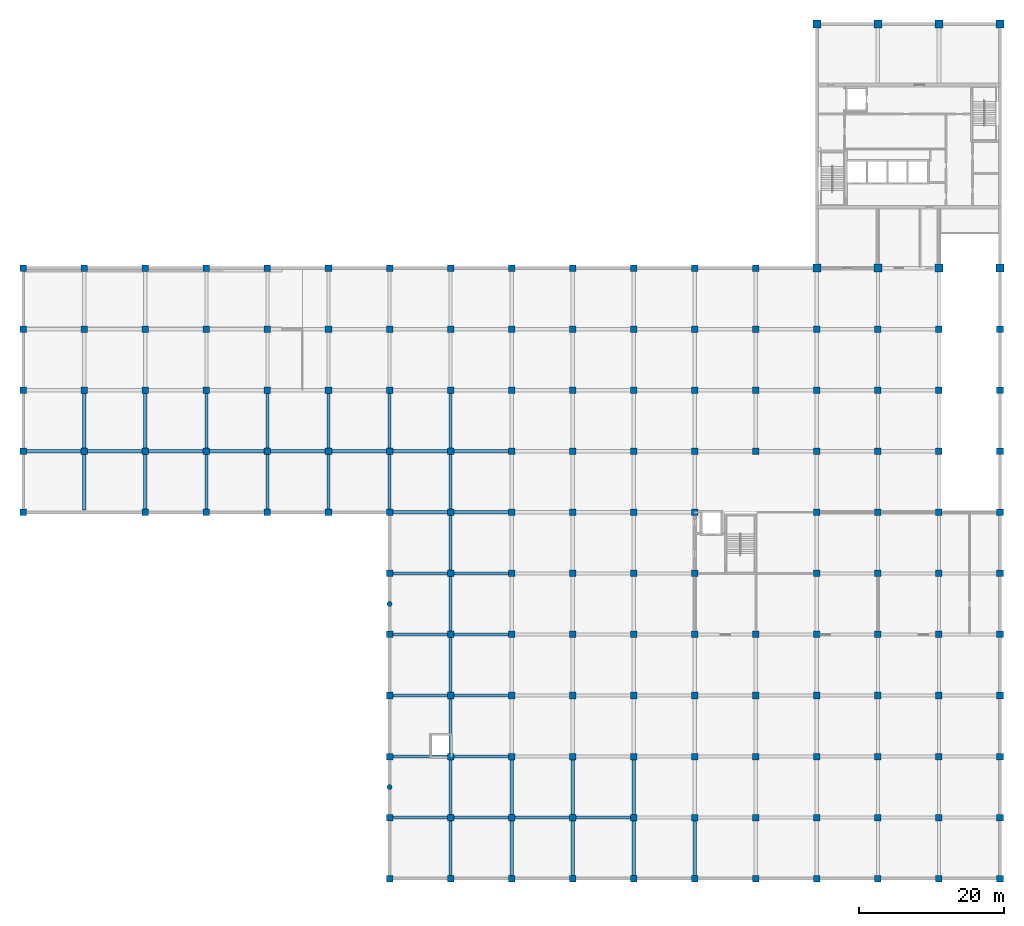
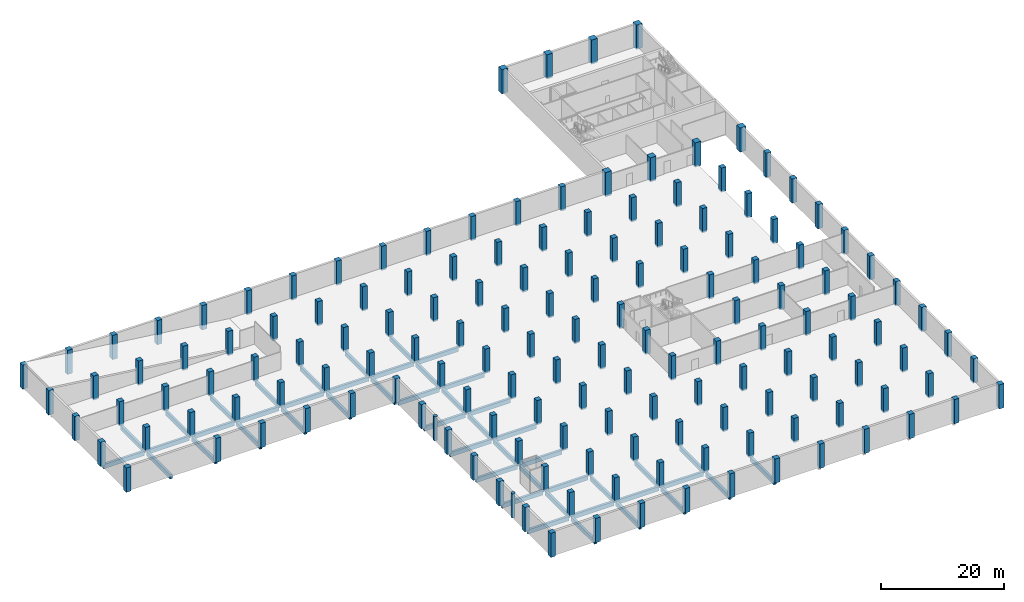
# One storey, part 1 of 13: 154 columns, 49 beams.
"""IFC4 building model written with IfcOpenShell, lengths in metres."""

from ifc_helpers import new_model, si_unit, direction, frame, origin, origin_2d, place, context, subcontext, project, spatial, rectangle, circle, extrude, material, material_profile, profile_set, type_object, element, save


model = new_model("IFC4")

# Units and contexts
model_context = context("Model", 3, precision=1e-05, world=origin(), true_north=direction((0.0, 1.0)))
body_context = subcontext(model_context, "Body", "Model", "MODEL_VIEW")
ifc_project = project(units=[si_unit("LENGTHUNIT", "METRE"), si_unit("AREAUNIT", "SQUARE_METRE"), si_unit("VOLUMEUNIT", "CUBIC_METRE"), si_unit("PLANEANGLEUNIT", "RADIAN"), si_unit("MASSUNIT", "GRAM", prefix="KILO")], contexts=[model_context])

# Site, building, storey
site_placement = place(None, origin())
site = spatial("IfcSite", under=ifc_project, at=site_placement, CompositionType="ELEMENT")
building_placement = place(site_placement, origin())
building = spatial("IfcBuilding", under=site, at=building_placement, Name="Rulbaag Community and Learning Centre", CompositionType="ELEMENT")
storey_placement = place(building_placement, frame((0.0, 0.0, -4.800048828125)))
storey = spatial("IfcBuildingStorey", under=building, at=storey_placement, Name="B1", CompositionType="ELEMENT", Elevation=-4.800048828125)

# Columns
ifc_material_1 = material(Name="Concrete M40", Category="concrete")
ifc_material_profile_1 = material_profile(ifc_material_1, circle(Radius=0.35009765625, at=origin_2d()), Name="RD700")
ifc_profile_set_1 = profile_set([ifc_material_profile_1], Name="Concrete M40")
column_type_1 = type_object("IfcColumnType", Name="C11 Circular column 700 Concrete M40", PredefinedType="COLUMN", material=ifc_profile_set_1)
for number, where, z_axis, x_axis, name in (
    (1, (84.0, 12.60009765625, -0.300048828125), (0.0, 0.0, 1.0), (1.0, 0.0, 0.0), "COL-G84x12.6-B1"),
    (2, (84.0, 37.800048828125, -0.300048828125), (0.0, 0.0, 1.0), (1.0, 0.0, 0.0), "COL-G84x37.8-B1"),
):
    element("IfcColumn", number, at=place(storey_placement, frame(where, z_axis=z_axis, x_axis=x_axis)), inside=storey, type_object=column_type_1, Name=name, PredefinedType="COLUMN", context=body_context, shape_type="SweptSolid", body=[
        extrude(circle(Radius=0.35009765625, at=origin_2d()), origin(), (0.0, 0.0, 1.0), 4.800048828125),
    ])
ifc_material_2 = material(Name="Concrete M60", Category="concrete")
ifc_material_profile_2 = material_profile(ifc_material_2, rectangle(XDim=0.89990234375, YDim=0.89990234375, at=origin_2d()), Name="RC900x900")
ifc_profile_set_2 = profile_set([ifc_material_profile_2], Name="Concrete M60")
column_type_2 = type_object("IfcColumnType", Name="C2 Column 900x900 Concrete M60", PredefinedType="COLUMN", material=ifc_profile_set_2)
for number, where, z_axis, x_axis, name in (
    (3, (33.60009765625, 50.39990234375, -0.300048828125), (0.0, 0.0, 1.0), (1.0, 0.0, 0.0), "COL-5G-B1"),
    (4, (33.60009765625, 58.800048828125, -0.300048828125), (0.0, 0.0, 1.0), (1.0, 0.0, 0.0), "COL-5H-B1"),
    (5, (33.60009765625, 67.199951171875, -0.300048828125), (0.0, 0.0, 1.0), (1.0, 0.0, 0.0), "COL-5I-B1"),
    (6, (33.60009765625, 75.60009765625, -0.300048828125), (0.0, 0.0, 1.0), (1.0, 0.0, 0.0), "COL-5J-B1"),
    (7, (33.60009765625, 84.0, -0.300048828125), (0.0, 0.0, 1.0), (1.0, 0.0, 0.0), "COL-5K-B1"),
    (8, (42.0, 58.800048828125, -0.300048828125), (0.0, 0.0, 1.0), (1.0, 0.0, 0.0), "COL-6H-B1"),
    (9, (42.0, 67.199951171875, -0.300048828125), (0.0, 0.0, 1.0), (1.0, 0.0, 0.0), "COL-6I-B1"),
    (10, (42.0, 75.60009765625, -0.300048828125), (0.0, 0.0, 1.0), (1.0, 0.0, 0.0), "COL-6J-B1"),
    (11, (42.0, 84.0, -0.300048828125), (0.0, 0.0, 1.0), (1.0, 0.0, 0.0), "COL-6K-B1"),
    (12, (50.39990234375, 50.39990234375, -0.300048828125), (0.0, 0.0, 1.0), (1.0, 0.0, 0.0), "COL-7G-B1"),
    (13, (50.39990234375, 58.800048828125, -0.300048828125), (0.0, 0.0, 1.0), (1.0, 0.0, 0.0), "COL-7H-B1"),
    (14, (50.39990234375, 67.199951171875, -0.300048828125), (0.0, 0.0, 1.0), (1.0, 0.0, 0.0), "COL-7I-B1"),
    (15, (50.39990234375, 75.60009765625, -0.300048828125), (0.0, 0.0, 1.0), (1.0, 0.0, 0.0), "COL-7J-B1"),
    (16, (50.39990234375, 84.0, -0.300048828125), (0.0, 0.0, 1.0), (1.0, 0.0, 0.0), "COL-7K-B1"),
    (17, (58.800048828125, 50.39990234375, -0.300048828125), (0.0, 0.0, 1.0), (1.0, 0.0, 0.0), "COL-8G-B1"),
    (18, (58.800048828125, 58.800048828125, -0.300048828125), (0.0, 0.0, 1.0), (1.0, 0.0, 0.0), "COL-8H-B1"),
    (19, (58.800048828125, 67.199951171875, -0.300048828125), (0.0, 0.0, 1.0), (1.0, 0.0, 0.0), "COL-8I-B1"),
    (20, (58.800048828125, 75.60009765625, -0.300048828125), (0.0, 0.0, 1.0), (1.0, 0.0, 0.0), "COL-8J-B1"),
    (21, (58.800048828125, 84.0, -0.300048828125), (0.0, 0.0, 1.0), (1.0, 0.0, 0.0), "COL-8K-B1"),
    (22, (67.199951171875, 50.39990234375, -0.300048828125), (0.0, 0.0, 1.0), (1.0, 0.0, 0.0), "COL-9G-B1"),
    (23, (67.199951171875, 58.800048828125, -0.300048828125), (0.0, 0.0, 1.0), (1.0, 0.0, 0.0), "COL-9H-B1"),
    (24, (67.199951171875, 67.199951171875, -0.300048828125), (0.0, 0.0, 1.0), (1.0, 0.0, 0.0), "COL-9I-B1"),
    (25, (67.199951171875, 75.60009765625, -0.300048828125), (0.0, 0.0, 1.0), (1.0, 0.0, 0.0), "COL-9J-B1"),
    (26, (67.199951171875, 84.0, -0.300048828125), (0.0, 0.0, 1.0), (1.0, 0.0, 0.0), "COL-9K-B1"),
    (27, (75.60009765625, 50.39990234375, -0.300048828125), (0.0, 0.0, 1.0), (1.0, 0.0, 0.0), "COL-10G-B1"),
    (28, (75.60009765625, 58.800048828125, -0.300048828125), (0.0, 0.0, 1.0), (1.0, 0.0, 0.0), "COL-10H-B1"),
    (29, (75.60009765625, 67.199951171875, -0.300048828125), (0.0, 0.0, 1.0), (1.0, 0.0, 0.0), "COL-10I-B1"),
    (30, (75.60009765625, 75.60009765625, -0.300048828125), (0.0, 0.0, 1.0), (1.0, 0.0, 0.0), "COL-10J-B1"),
    (31, (75.60009765625, 84.0, -0.300048828125), (0.0, 0.0, 1.0), (1.0, 0.0, 0.0), "COL-10K-B1"),
    (32, (84.0, 0.0, -0.300048828125), (0.0, 0.0, 1.0), (1.0, 0.0, 0.0), "COL-11A-B1"),
    (33, (84.0, 8.39990234375, -0.300048828125), (0.0, 0.0, 1.0), (1.0, 0.0, 0.0), "COL-11B-B1"),
    (34, (84.0, 16.800048828125, -0.300048828125), (0.0, 0.0, 1.0), (1.0, 0.0, 0.0), "COL-11C-B1"),
    (35, (84.0, 25.199951171875, -0.300048828125), (0.0, 0.0, 1.0), (1.0, 0.0, 0.0), "COL-11D-B1"),
    (36, (84.0, 33.60009765625, -0.300048828125), (0.0, 0.0, 1.0), (1.0, 0.0, 0.0), "COL-11E-B1"),
    (37, (84.0, 42.0, -0.300048828125), (0.0, 0.0, 1.0), (1.0, 0.0, 0.0), "COL-11F-B1"),
    (38, (84.0, 50.39990234375, -0.300048828125), (0.0, 0.0, 1.0), (1.0, 0.0, 0.0), "COL-11G-B1"),
    (39, (84.0, 58.800048828125, -0.300048828125), (0.0, 0.0, 1.0), (1.0, 0.0, 0.0), "COL-11H-B1"),
    (40, (84.0, 67.199951171875, -0.300048828125), (0.0, 0.0, 1.0), (1.0, 0.0, 0.0), "COL-11I-B1"),
    (41, (84.0, 75.60009765625, -0.300048828125), (0.0, 0.0, 1.0), (1.0, 0.0, 0.0), "COL-11J-B1"),
    (42, (84.0, 84.0, -0.300048828125), (0.0, 0.0, 1.0), (1.0, 0.0, 0.0), "COL-11K-B1"),
    (43, (92.39990234375, 0.0, -0.300048828125), (0.0, 0.0, 1.0), (1.0, 0.0, 0.0), "COL-12A-B1"),
    (44, (92.39990234375, 8.39990234375, -0.300048828125), (0.0, 0.0, 1.0), (1.0, 0.0, 0.0), "COL-12B-B1"),
    (45, (92.39990234375, 16.800048828125, -0.300048828125), (0.0, 0.0, 1.0), (1.0, 0.0, 0.0), "COL-12C-B1"),
    (46, (92.39990234375, 25.199951171875, -0.300048828125), (0.0, 0.0, 1.0), (1.0, 0.0, 0.0), "COL-12D-B1"),
    (47, (92.39990234375, 33.60009765625, -0.300048828125), (0.0, 0.0, 1.0), (1.0, 0.0, 0.0), "COL-12E-B1"),
    (48, (92.39990234375, 42.0, -0.300048828125), (0.0, 0.0, 1.0), (1.0, 0.0, 0.0), "COL-12F-B1"),
    (49, (92.39990234375, 50.39990234375, -0.300048828125), (0.0, 0.0, 1.0), (1.0, 0.0, 0.0), "COL-12G-B1"),
    (50, (92.39990234375, 58.800048828125, -0.300048828125), (0.0, 0.0, 1.0), (1.0, 0.0, 0.0), "COL-12H-B1"),
    (51, (92.39990234375, 67.199951171875, -0.300048828125), (0.0, 0.0, 1.0), (1.0, 0.0, 0.0), "COL-12I-B1"),
    (52, (92.39990234375, 75.60009765625, -0.300048828125), (0.0, 0.0, 1.0), (1.0, 0.0, 0.0), "COL-12J-B1"),
    (53, (92.39990234375, 84.0, -0.300048828125), (0.0, 0.0, 1.0), (1.0, 0.0, 0.0), "COL-12K-B1"),
    (54, (100.800048828125, 0.0, -0.300048828125), (0.0, 0.0, 1.0), (1.0, 0.0, 0.0), "COL-13A-B1"),
    (55, (100.800048828125, 8.39990234375, -0.300048828125), (0.0, 0.0, 1.0), (1.0, 0.0, 0.0), "COL-13B-B1"),
    (56, (100.800048828125, 16.800048828125, -0.300048828125), (0.0, 0.0, 1.0), (1.0, 0.0, 0.0), "COL-13C-B1"),
    (57, (100.800048828125, 25.199951171875, -0.300048828125), (0.0, 0.0, 1.0), (1.0, 0.0, 0.0), "COL-13D-B1"),
    (58, (100.800048828125, 33.60009765625, -0.300048828125), (0.0, 0.0, 1.0), (1.0, 0.0, 0.0), "COL-13E-B1"),
    (59, (100.800048828125, 42.0, -0.300048828125), (0.0, 0.0, 1.0), (1.0, 0.0, 0.0), "COL-13F-B1"),
    (60, (100.800048828125, 50.39990234375, -0.300048828125), (0.0, 0.0, 1.0), (1.0, 0.0, 0.0), "COL-13G-B1"),
    (61, (100.800048828125, 58.800048828125, -0.300048828125), (0.0, 0.0, 1.0), (1.0, 0.0, 0.0), "COL-13H-B1"),
    (62, (100.800048828125, 67.199951171875, -0.300048828125), (0.0, 0.0, 1.0), (1.0, 0.0, 0.0), "COL-13I-B1"),
    (63, (100.800048828125, 75.60009765625, -0.300048828125), (0.0, 0.0, 1.0), (1.0, 0.0, 0.0), "COL-13J-B1"),
    (64, (100.800048828125, 84.0, -0.300048828125), (0.0, 0.0, 1.0), (1.0, 0.0, 0.0), "COL-13K-B1"),
    (65, (109.199951171875, 0.0, -0.300048828125), (0.0, 0.0, 1.0), (1.0, 0.0, 0.0), "COL-14A-B1"),
    (66, (109.199951171875, 8.39990234375, -0.300048828125), (0.0, 0.0, 1.0), (1.0, 0.0, 0.0), "COL-14B-B1"),
    (67, (109.199951171875, 16.800048828125, -0.300048828125), (0.0, 0.0, 1.0), (1.0, 0.0, 0.0), "COL-14C-B1"),
    (68, (109.199951171875, 25.199951171875, -0.300048828125), (0.0, 0.0, 1.0), (1.0, 0.0, 0.0), "COL-14D-B1"),
    (69, (109.199951171875, 33.60009765625, -0.300048828125), (0.0, 0.0, 1.0), (1.0, 0.0, 0.0), "COL-14E-B1"),
    (70, (109.199951171875, 42.0, -0.300048828125), (0.0, 0.0, 1.0), (1.0, 0.0, 0.0), "COL-14F-B1"),
    (71, (109.199951171875, 50.39990234375, -0.300048828125), (0.0, 0.0, 1.0), (1.0, 0.0, 0.0), "COL-14G-B1"),
    (72, (109.199951171875, 58.800048828125, -0.300048828125), (0.0, 0.0, 1.0), (1.0, 0.0, 0.0), "COL-14H-B1"),
    (73, (109.199951171875, 67.199951171875, -0.300048828125), (0.0, 0.0, 1.0), (1.0, 0.0, 0.0), "COL-14I-B1"),
    (74, (109.199951171875, 75.60009765625, -0.300048828125), (0.0, 0.0, 1.0), (1.0, 0.0, 0.0), "COL-14J-B1"),
    (75, (109.199951171875, 84.0, -0.300048828125), (0.0, 0.0, 1.0), (1.0, 0.0, 0.0), "COL-14K-B1"),
    (76, (117.60009765625, 0.0, -0.300048828125), (0.0, 0.0, 1.0), (1.0, 0.0, 0.0), "COL-15A-B1"),
    (77, (117.60009765625, 8.39990234375, -0.300048828125), (0.0, 0.0, 1.0), (1.0, 0.0, 0.0), "COL-15B-B1"),
    (78, (117.60009765625, 16.800048828125, -0.300048828125), (0.0, 0.0, 1.0), (1.0, 0.0, 0.0), "COL-15C-B1"),
    (79, (117.60009765625, 25.199951171875, -0.300048828125), (0.0, 0.0, 1.0), (1.0, 0.0, 0.0), "COL-15D-B1"),
    (80, (117.60009765625, 33.60009765625, -0.300048828125), (0.0, 0.0, 1.0), (1.0, 0.0, 0.0), "COL-15E-B1"),
    (81, (117.60009765625, 42.0, -0.300048828125), (0.0, 0.0, 1.0), (1.0, 0.0, 0.0), "COL-15F-B1"),
    (82, (117.60009765625, 50.39990234375, -0.300048828125), (0.0, 0.0, 1.0), (1.0, 0.0, 0.0), "COL-15G-B1"),
    (83, (117.60009765625, 58.800048828125, -0.300048828125), (0.0, 0.0, 1.0), (1.0, 0.0, 0.0), "COL-15H-B1"),
    (84, (117.60009765625, 67.199951171875, -0.300048828125), (0.0, 0.0, 1.0), (1.0, 0.0, 0.0), "COL-15I-B1"),
    (85, (117.60009765625, 75.60009765625, -0.300048828125), (0.0, 0.0, 1.0), (1.0, 0.0, 0.0), "COL-15J-B1"),
    (86, (117.60009765625, 84.0, -0.300048828125), (0.0, 0.0, 1.0), (1.0, 0.0, 0.0), "COL-15K-B1"),
    (87, (126.0, 0.0, -0.300048828125), (0.0, 0.0, 1.0), (1.0, 0.0, 0.0), "COL-16A-B1"),
    (88, (126.0, 8.39990234375, -0.300048828125), (0.0, 0.0, 1.0), (1.0, 0.0, 0.0), "COL-16B-B1"),
    (89, (126.0, 16.800048828125, -0.300048828125), (0.0, 0.0, 1.0), (1.0, 0.0, 0.0), "COL-16C-B1"),
    (90, (126.0, 25.199951171875, -0.300048828125), (0.0, 0.0, 1.0), (1.0, 0.0, 0.0), "COL-16D-B1"),
    (91, (126.0, 33.60009765625, -0.300048828125), (0.0, 0.0, 1.0), (1.0, 0.0, 0.0), "COL-16E-B1"),
    (92, (126.0, 42.0, -0.300048828125), (0.0, 0.0, 1.0), (1.0, 0.0, 0.0), "COL-16F-B1"),
    (93, (126.0, 50.39990234375, -0.300048828125), (0.0, 0.0, 1.0), (1.0, 0.0, 0.0), "COL-16G-B1"),
    (94, (126.0, 58.800048828125, -0.300048828125), (0.0, 0.0, 1.0), (1.0, 0.0, 0.0), "COL-16H-B1"),
    (95, (126.0, 67.199951171875, -0.300048828125), (0.0, 0.0, 1.0), (1.0, 0.0, 0.0), "COL-16I-B1"),
    (96, (126.0, 75.60009765625, -0.300048828125), (0.0, 0.0, 1.0), (1.0, 0.0, 0.0), "COL-16J-B1"),
    (97, (126.0, 84.0, -0.300048828125), (0.0, 0.0, 1.0), (1.0, 0.0, 0.0), "COL-16K-B1"),
    (98, (134.39990234375, 0.0, -0.300048828125), (0.0, 0.0, 1.0), (1.0, 0.0, 0.0), "COL-17A-B1"),
    (99, (134.39990234375, 8.39990234375, -0.300048828125), (0.0, 0.0, 1.0), (1.0, 0.0, 0.0), "COL-17B-B1"),
    (100, (134.39990234375, 16.800048828125, -0.300048828125), (0.0, 0.0, 1.0), (1.0, 0.0, 0.0), "COL-17C-B1"),
    (101, (134.39990234375, 25.199951171875, -0.300048828125), (0.0, 0.0, 1.0), (1.0, 0.0, 0.0), "COL-17D-B1"),
    (102, (134.39990234375, 33.60009765625, -0.300048828125), (0.0, 0.0, 1.0), (1.0, 0.0, 0.0), "COL-17E-B1"),
    (103, (134.39990234375, 58.800048828125, -0.300048828125), (0.0, 0.0, 1.0), (1.0, 0.0, 0.0), "COL-17H-B1"),
    (104, (134.39990234375, 67.199951171875, -0.300048828125), (0.0, 0.0, 1.0), (1.0, 0.0, 0.0), "COL-17I-B1"),
    (105, (134.39990234375, 75.60009765625, -0.300048828125), (0.0, 0.0, 1.0), (1.0, 0.0, 0.0), "COL-17J-B1"),
    (106, (134.39990234375, 84.0, -0.300048828125), (0.0, 0.0, 1.0), (1.0, 0.0, 0.0), "COL-17K-B1"),
    (107, (142.800048828125, 0.0, -0.300048828125), (0.0, 0.0, 1.0), (1.0, 0.0, 0.0), "COL-18A-B1"),
    (108, (142.800048828125, 8.39990234375, -0.300048828125), (0.0, 0.0, 1.0), (1.0, 0.0, 0.0), "COL-18B-B1"),
    (109, (142.800048828125, 16.800048828125, -0.300048828125), (0.0, 0.0, 1.0), (1.0, 0.0, 0.0), "COL-18C-B1"),
    (110, (142.800048828125, 25.199951171875, -0.300048828125), (0.0, 0.0, 1.0), (1.0, 0.0, 0.0), "COL-18D-B1"),
    (111, (142.800048828125, 33.60009765625, -0.300048828125), (0.0, 0.0, 1.0), (1.0, 0.0, 0.0), "COL-18E-B1"),
    (112, (142.800048828125, 42.0, -0.300048828125), (0.0, 0.0, 1.0), (1.0, 0.0, 0.0), "COL-18F-B1"),
    (113, (142.800048828125, 50.39990234375, -0.300048828125), (0.0, 0.0, 1.0), (1.0, 0.0, 0.0), "COL-18G-B1"),
    (114, (142.800048828125, 58.800048828125, -0.300048828125), (0.0, 0.0, 1.0), (1.0, 0.0, 0.0), "COL-18H-B1"),
    (115, (142.800048828125, 67.199951171875, -0.300048828125), (0.0, 0.0, 1.0), (1.0, 0.0, 0.0), "COL-18I-B1"),
    (116, (142.800048828125, 75.60009765625, -0.300048828125), (0.0, 0.0, 1.0), (1.0, 0.0, 0.0), "COL-18J-B1"),
    (117, (151.199951171875, 0.0, -0.300048828125), (0.0, 0.0, 1.0), (1.0, 0.0, 0.0), "COL-19A-B1"),
    (118, (151.199951171875, 8.39990234375, -0.300048828125), (0.0, 0.0, 1.0), (1.0, 0.0, 0.0), "COL-19B-B1"),
    (119, (151.199951171875, 16.800048828125, -0.300048828125), (0.0, 0.0, 1.0), (1.0, 0.0, 0.0), "COL-19C-B1"),
    (120, (151.199951171875, 25.199951171875, -0.300048828125), (0.0, 0.0, 1.0), (1.0, 0.0, 0.0), "COL-19D-B1"),
    (121, (151.199951171875, 33.60009765625, -0.300048828125), (0.0, 0.0, 1.0), (1.0, 0.0, 0.0), "COL-19E-B1"),
    (122, (151.199951171875, 42.0, -0.300048828125), (0.0, 0.0, 1.0), (1.0, 0.0, 0.0), "COL-19F-B1"),
    (123, (151.199951171875, 50.39990234375, -0.300048828125), (0.0, 0.0, 1.0), (1.0, 0.0, 0.0), "COL-19G-B1"),
    (124, (151.199951171875, 58.800048828125, -0.300048828125), (0.0, 0.0, 1.0), (1.0, 0.0, 0.0), "COL-19H-B1"),
    (125, (151.199951171875, 67.199951171875, -0.300048828125), (0.0, 0.0, 1.0), (1.0, 0.0, 0.0), "COL-19I-B1"),
    (126, (151.199951171875, 75.60009765625, -0.300048828125), (0.0, 0.0, 1.0), (1.0, 0.0, 0.0), "COL-19J-B1"),
    (127, (159.60009765625, 0.0, -0.300048828125), (0.0, 0.0, 1.0), (1.0, 0.0, 0.0), "COL-20A-B1"),
    (128, (159.60009765625, 8.39990234375, -0.300048828125), (0.0, 0.0, 1.0), (1.0, 0.0, 0.0), "COL-20B-B1"),
    (129, (159.60009765625, 16.800048828125, -0.300048828125), (0.0, 0.0, 1.0), (1.0, 0.0, 0.0), "COL-20C-B1"),
    (130, (159.60009765625, 25.199951171875, -0.300048828125), (0.0, 0.0, 1.0), (1.0, 0.0, 0.0), "COL-20D-B1"),
    (131, (159.60009765625, 33.60009765625, -0.300048828125), (0.0, 0.0, 1.0), (1.0, 0.0, 0.0), "COL-20E-B1"),
    (132, (159.60009765625, 42.0, -0.300048828125), (0.0, 0.0, 1.0), (1.0, 0.0, 0.0), "COL-20F-B1"),
    (133, (159.60009765625, 50.39990234375, -0.300048828125), (0.0, 0.0, 1.0), (1.0, 0.0, 0.0), "COL-20G-B1"),
    (134, (159.60009765625, 58.800048828125, -0.300048828125), (0.0, 0.0, 1.0), (1.0, 0.0, 0.0), "COL-20H-B1"),
    (135, (159.60009765625, 67.199951171875, -0.300048828125), (0.0, 0.0, 1.0), (1.0, 0.0, 0.0), "COL-20I-B1"),
    (136, (159.60009765625, 75.60009765625, -0.300048828125), (0.0, 0.0, 1.0), (1.0, 0.0, 0.0), "COL-20J-B1"),
    (137, (168.0, 0.0, -0.300048828125), (0.0, 0.0, 1.0), (1.0, 0.0, 0.0), "COL-21A-B1"),
    (138, (168.0, 8.39990234375, -0.300048828125), (0.0, 0.0, 1.0), (1.0, 0.0, 0.0), "COL-21B-B1"),
    (139, (168.0, 16.800048828125, -0.300048828125), (0.0, 0.0, 1.0), (1.0, 0.0, 0.0), "COL-21C-B1"),
    (140, (168.0, 25.199951171875, -0.300048828125), (0.0, 0.0, 1.0), (1.0, 0.0, 0.0), "COL-21D-B1"),
    (141, (168.0, 33.60009765625, -0.300048828125), (0.0, 0.0, 1.0), (1.0, 0.0, 0.0), "COL-21E-B1"),
    (142, (168.0, 42.0, -0.300048828125), (0.0, 0.0, 1.0), (1.0, 0.0, 0.0), "COL-21F-B1"),
    (143, (168.0, 50.39990234375, -0.300048828125), (0.0, 0.0, 1.0), (1.0, 0.0, 0.0), "COL-21G-B1"),
    (144, (168.0, 58.800048828125, -0.300048828125), (0.0, 0.0, 1.0), (1.0, 0.0, 0.0), "COL-21H-B1"),
    (145, (168.0, 67.199951171875, -0.300048828125), (0.0, 0.0, 1.0), (1.0, 0.0, 0.0), "COL-21I-B1"),
    (146, (168.0, 75.60009765625, -0.300048828125), (0.0, 0.0, 1.0), (1.0, 0.0, 0.0), "COL-21J-B1"),
):
    element("IfcColumn", number, at=place(storey_placement, frame(where, z_axis=z_axis, x_axis=x_axis)), inside=storey, type_object=column_type_2, Name=name, PredefinedType="COLUMN", context=body_context, shape_type="SweptSolid", body=[
        extrude(rectangle(XDim=0.89990234375, YDim=0.89990234375, at=origin_2d()), origin(), (0.0, 0.0, 1.0), 4.800048828125),
    ])
ifc_material_profile_3 = material_profile(ifc_material_2, rectangle(XDim=1.10009765625, YDim=1.10009765625, at=origin_2d()), Name="RC1100x1100")
ifc_profile_set_3 = profile_set([ifc_material_profile_3], Name="Concrete M60")
column_type_3 = type_object("IfcColumnType", Name="C9 Column 1100x1100 Concrete M60", PredefinedType="COLUMN", material=ifc_profile_set_3)
for number, where, z_axis, x_axis, name in (
    (147, (142.800048828125, 84.0, -0.300048828125), (0.0, 0.0, 1.0), (1.0, 0.0, 0.0), "COL-18K-B1"),
    (148, (142.800048828125, 117.60009765625, -0.300048828125), (0.0, 0.0, 1.0), (1.0, 0.0, 0.0), "COL-18O-B1"),
    (149, (151.199951171875, 84.0, -0.300048828125), (0.0, 0.0, 1.0), (1.0, 0.0, 0.0), "COL-19K-B1"),
    (150, (151.199951171875, 117.60009765625, -0.300048828125), (0.0, 0.0, 1.0), (1.0, 0.0, 0.0), "COL-19O-B1"),
    (151, (159.60009765625, 84.0, -0.300048828125), (0.0, 0.0, 1.0), (1.0, 0.0, 0.0), "COL-20K-B1"),
    (152, (159.60009765625, 117.60009765625, -0.300048828125), (0.0, 0.0, 1.0), (1.0, 0.0, 0.0), "COL-20O-B1"),
    (153, (168.0, 84.0, -0.300048828125), (0.0, 0.0, 1.0), (1.0, 0.0, 0.0), "COL-21K-B1"),
    (154, (168.0, 117.60009765625, -0.300048828125), (0.0, 0.0, 1.0), (1.0, 0.0, 0.0), "COL-21O-B1"),
):
    element("IfcColumn", number, at=place(storey_placement, frame(where, z_axis=z_axis, x_axis=x_axis)), inside=storey, type_object=column_type_3, Name=name, PredefinedType="COLUMN", context=body_context, shape_type="SweptSolid", body=[
        extrude(rectangle(XDim=1.10009765625, YDim=1.10009765625, at=origin_2d()), origin(), (0.0, 0.0, 1.0), 4.800048828125),
    ])

# Beams
ifc_material_profile_4 = material_profile(ifc_material_1, rectangle(XDim=0.449951171875, YDim=0.85009765625, at=origin_2d()), Name="RB450x850")
ifc_profile_set_4 = profile_set([ifc_material_profile_4], Name="Concrete M40")
beam_type = type_object("IfcBeamType", Name="B24 Basement floor beam 450x850 Concrete M40", PredefinedType="BEAM", material=ifc_profile_set_4)
for number, where, z_axis, x_axis, name in (
    (155, (33.89990234375, 58.800048828125, -0.724853515625), (1.0, 0.0, 0.0), (0.0, 1.0, 0.0), "BM-B1-5H-6H"),
    (156, (42.0, 50.699951171875, -0.724853515625), (0.0, 1.0, 0.0), (-1.0, 0.0, 0.0), "BM-B1-6G-6H"),
):
    element("IfcBeam", number, at=place(storey_placement, frame(where, z_axis=z_axis, x_axis=x_axis)), inside=storey, type_object=beam_type, Name=name, PredefinedType="BEAM", context=body_context, shape_type="SweptSolid", body=[
        extrude(rectangle(XDim=0.449951171875, YDim=0.85009765625, at=origin_2d()), origin(), (0.0, 0.0, 1.0), 7.670166015625),
    ])
for number, where, z_axis, x_axis, name in (
    (157, (42.429931640625, 58.800048828125, -0.724853515625), (1.0, 0.0, 0.0), (0.0, 1.0, 0.0), "BM-B1-6H-7H"),
    (158, (42.0, 59.22998046875, -0.724853515625), (0.0, 1.0, 0.0), (-1.0, 0.0, 0.0), "BM-B1-6H-6I"),
):
    element("IfcBeam", number, at=place(storey_placement, frame(where, z_axis=z_axis, x_axis=x_axis)), inside=storey, type_object=beam_type, Name=name, PredefinedType="BEAM", context=body_context, shape_type="SweptSolid", body=[
        extrude(rectangle(XDim=0.449951171875, YDim=0.85009765625, at=origin_2d()), origin(), (0.0, 0.0, 1.0), 7.5400390625),
    ])
beam_1_placement = place(storey_placement, frame((50.39990234375, 50.699951171875, -0.724853515625), z_axis=(0.0, 1.0, 0.0), x_axis=(-1.0, 0.0, 0.0)))
element("IfcBeam", 159, at=beam_1_placement, inside=storey, type_object=beam_type, Name="BM-B1-7G-7H", PredefinedType="BEAM", context=body_context, shape_type="SweptSolid", body=[
    extrude(rectangle(XDim=0.449951171875, YDim=0.85009765625, at=origin_2d()), origin(), (0.0, 0.0, 1.0), 7.670166015625),
])
for number, where, z_axis, x_axis, name in (
    (160, (50.830078125, 58.800048828125, -0.724853515625), (1.0, 0.0, 0.0), (0.0, 1.0, 0.0), "BM-B1-7H-8H"),
    (161, (50.39990234375, 59.22998046875, -0.724853515625), (0.0, 1.0, 0.0), (-1.0, 0.0, 0.0), "BM-B1-7H-7I"),
):
    element("IfcBeam", number, at=place(storey_placement, frame(where, z_axis=z_axis, x_axis=x_axis)), inside=storey, type_object=beam_type, Name=name, PredefinedType="BEAM", context=body_context, shape_type="SweptSolid", body=[
        extrude(rectangle(XDim=0.449951171875, YDim=0.85009765625, at=origin_2d()), origin(), (0.0, 0.0, 1.0), 7.5400390625),
    ])
beam_2_placement = place(storey_placement, frame((58.800048828125, 50.699951171875, -0.724853515625), z_axis=(0.0, 1.0, 0.0), x_axis=(-1.0, 0.0, 0.0)))
element("IfcBeam", 162, at=beam_2_placement, inside=storey, type_object=beam_type, Name="BM-B1-8G-8H", PredefinedType="BEAM", context=body_context, shape_type="SweptSolid", body=[
    extrude(rectangle(XDim=0.449951171875, YDim=0.85009765625, at=origin_2d()), origin(), (0.0, 0.0, 1.0), 7.670166015625),
])
for number, where, z_axis, x_axis, name in (
    (163, (59.22998046875, 58.800048828125, -0.724853515625), (1.0, 0.0, 0.0), (0.0, 1.0, 0.0), "BM-B1-8H-9H"),
    (164, (58.800048828125, 59.22998046875, -0.724853515625), (0.0, 1.0, 0.0), (-1.0, 0.0, 0.0), "BM-B1-8H-8I"),
):
    element("IfcBeam", number, at=place(storey_placement, frame(where, z_axis=z_axis, x_axis=x_axis)), inside=storey, type_object=beam_type, Name=name, PredefinedType="BEAM", context=body_context, shape_type="SweptSolid", body=[
        extrude(rectangle(XDim=0.449951171875, YDim=0.85009765625, at=origin_2d()), origin(), (0.0, 0.0, 1.0), 7.5400390625),
    ])
beam_3_placement = place(storey_placement, frame((67.199951171875, 50.699951171875, -0.724853515625), z_axis=(0.0, 1.0, 0.0), x_axis=(-1.0, 0.0, 0.0)))
element("IfcBeam", 165, at=beam_3_placement, inside=storey, type_object=beam_type, Name="BM-B1-9G-9H", PredefinedType="BEAM", context=body_context, shape_type="SweptSolid", body=[
    extrude(rectangle(XDim=0.449951171875, YDim=0.85009765625, at=origin_2d()), origin(), (0.0, 0.0, 1.0), 7.670166015625),
])
for number, where, z_axis, x_axis, name in (
    (166, (67.6298828125, 58.800048828125, -0.724853515625), (1.0, 0.0, 0.0), (0.0, 1.0, 0.0), "BM-B1-9H-10H"),
    (167, (67.199951171875, 59.22998046875, -0.724853515625), (0.0, 1.0, 0.0), (-1.0, 0.0, 0.0), "BM-B1-9H-9I"),
):
    element("IfcBeam", number, at=place(storey_placement, frame(where, z_axis=z_axis, x_axis=x_axis)), inside=storey, type_object=beam_type, Name=name, PredefinedType="BEAM", context=body_context, shape_type="SweptSolid", body=[
        extrude(rectangle(XDim=0.449951171875, YDim=0.85009765625, at=origin_2d()), origin(), (0.0, 0.0, 1.0), 7.5400390625),
    ])
beam_4_placement = place(storey_placement, frame((75.60009765625, 50.699951171875, -0.724853515625), z_axis=(0.0, 1.0, 0.0), x_axis=(-1.0, 0.0, 0.0)))
element("IfcBeam", 168, at=beam_4_placement, inside=storey, type_object=beam_type, Name="BM-B1-10G-10H", PredefinedType="BEAM", context=body_context, shape_type="SweptSolid", body=[
    extrude(rectangle(XDim=0.449951171875, YDim=0.85009765625, at=origin_2d()), origin(), (0.0, 0.0, 1.0), 7.670166015625),
])
for number, where, z_axis, x_axis, name in (
    (169, (76.030029296875, 58.800048828125, -0.724853515625), (1.0, 0.0, 0.0), (0.0, 1.0, 0.0), "BM-B1-10H-11H"),
    (170, (75.60009765625, 59.22998046875, -0.724853515625), (0.0, 1.0, 0.0), (-1.0, 0.0, 0.0), "BM-B1-10H-10I"),
):
    element("IfcBeam", number, at=place(storey_placement, frame(where, z_axis=z_axis, x_axis=x_axis)), inside=storey, type_object=beam_type, Name=name, PredefinedType="BEAM", context=body_context, shape_type="SweptSolid", body=[
        extrude(rectangle(XDim=0.449951171875, YDim=0.85009765625, at=origin_2d()), origin(), (0.0, 0.0, 1.0), 7.5400390625),
    ])
for number, where, z_axis, x_axis, name in (
    (171, (84.300048828125, 8.39990234375, -0.724853515625), (1.0, 0.0, 0.0), (0.0, 1.0, 0.0), "BM-B1-11B-12B"),
    (172, (84.300048828125, 16.800048828125, -0.724853515625), (1.0, 0.0, 0.0), (0.0, 1.0, 0.0), "BM-B1-11C-12C"),
    (173, (84.300048828125, 25.199951171875, -0.724853515625), (1.0, 0.0, 0.0), (0.0, 1.0, 0.0), "BM-B1-11D-12D"),
    (174, (84.300048828125, 33.60009765625, -0.724853515625), (1.0, 0.0, 0.0), (0.0, 1.0, 0.0), "BM-B1-11E-12E"),
    (175, (84.300048828125, 42.0, -0.724853515625), (1.0, 0.0, 0.0), (0.0, 1.0, 0.0), "BM-B1-11F-12F"),
    (176, (84.300048828125, 50.39990234375, -0.724853515625), (1.0, 0.0, 0.0), (0.0, 1.0, 0.0), "BM-B1-11G-12G"),
):
    element("IfcBeam", number, at=place(storey_placement, frame(where, z_axis=z_axis, x_axis=x_axis)), inside=storey, type_object=beam_type, Name=name, PredefinedType="BEAM", context=body_context, shape_type="SweptSolid", body=[
        extrude(rectangle(XDim=0.449951171875, YDim=0.85009765625, at=origin_2d()), origin(), (0.0, 0.0, 1.0), 7.669921875),
    ])
beam_5_placement = place(storey_placement, frame((84.0, 50.699951171875, -0.724853515625), z_axis=(0.0, 1.0, 0.0), x_axis=(-1.0, 0.0, 0.0)))
element("IfcBeam", 177, at=beam_5_placement, inside=storey, type_object=beam_type, Name="BM-B1-11G-11H", PredefinedType="BEAM", context=body_context, shape_type="SweptSolid", body=[
    extrude(rectangle(XDim=0.449951171875, YDim=0.85009765625, at=origin_2d()), origin(), (0.0, 0.0, 1.0), 7.670166015625),
])
for number, where, z_axis, x_axis, name in (
    (178, (84.429931640625, 58.800048828125, -0.724853515625), (1.0, 0.0, 0.0), (0.0, 1.0, 0.0), "BM-B1-11H-12H"),
    (179, (84.0, 59.22998046875, -0.724853515625), (0.0, 1.0, 0.0), (-1.0, 0.0, 0.0), "BM-B1-11H-11I"),
):
    element("IfcBeam", number, at=place(storey_placement, frame(where, z_axis=z_axis, x_axis=x_axis)), inside=storey, type_object=beam_type, Name=name, PredefinedType="BEAM", context=body_context, shape_type="SweptSolid", body=[
        extrude(rectangle(XDim=0.449951171875, YDim=0.85009765625, at=origin_2d()), origin(), (0.0, 0.0, 1.0), 7.5400390625),
    ])
beam_6_placement = place(storey_placement, frame((92.39990234375, 0.300048828125, -0.724853515625), z_axis=(0.0, 1.0, 0.0), x_axis=(-1.0, 0.0, 0.0)))
element("IfcBeam", 180, at=beam_6_placement, inside=storey, type_object=beam_type, Name="BM-B1-12A-12B", PredefinedType="BEAM", context=body_context, shape_type="SweptSolid", body=[
    extrude(rectangle(XDim=0.449951171875, YDim=0.85009765625, at=origin_2d()), origin(), (0.0, 0.0, 1.0), 7.669921875),
])
for number, where, z_axis, x_axis, name in (
    (181, (92.830078125, 8.39990234375, -0.724853515625), (1.0, 0.0, 0.0), (0.0, 1.0, 0.0), "BM-B1-12B-13B"),
    (182, (92.39990234375, 8.830078125, -0.724853515625), (0.0, 1.0, 0.0), (-1.0, 0.0, 0.0), "BM-B1-12B-12C"),
    (183, (92.830078125, 16.800048828125, -0.724853515625), (1.0, 0.0, 0.0), (0.0, 1.0, 0.0), "BM-B1-12C-13C"),
    (184, (92.39990234375, 17.22998046875, -0.724853515625), (0.0, 1.0, 0.0), (-1.0, 0.0, 0.0), "BM-B1-12C-12D"),
    (185, (92.830078125, 25.199951171875, -0.724853515625), (1.0, 0.0, 0.0), (0.0, 1.0, 0.0), "BM-B1-12D-13D"),
    (186, (92.39990234375, 25.6298828125, -0.724853515625), (0.0, 1.0, 0.0), (-1.0, 0.0, 0.0), "BM-B1-12D-12E"),
    (187, (92.830078125, 33.60009765625, -0.724853515625), (1.0, 0.0, 0.0), (0.0, 1.0, 0.0), "BM-B1-12E-13E"),
    (188, (92.39990234375, 34.030029296875, -0.724853515625), (0.0, 1.0, 0.0), (-1.0, 0.0, 0.0), "BM-B1-12E-12F"),
    (189, (92.830078125, 42.0, -0.724853515625), (1.0, 0.0, 0.0), (0.0, 1.0, 0.0), "BM-B1-12F-13F"),
    (190, (92.39990234375, 42.429931640625, -0.724853515625), (0.0, 1.0, 0.0), (-1.0, 0.0, 0.0), "BM-B1-12F-12G"),
    (191, (92.830078125, 50.39990234375, -0.724853515625), (1.0, 0.0, 0.0), (0.0, 1.0, 0.0), "BM-B1-12G-13G"),
    (192, (92.39990234375, 50.830078125, -0.724853515625), (0.0, 1.0, 0.0), (-1.0, 0.0, 0.0), "BM-B1-12G-12H"),
    (193, (92.830078125, 58.800048828125, -0.724853515625), (1.0, 0.0, 0.0), (0.0, 1.0, 0.0), "BM-B1-12H-13H"),
    (194, (92.39990234375, 59.22998046875, -0.724853515625), (0.0, 1.0, 0.0), (-1.0, 0.0, 0.0), "BM-B1-12H-12I"),
):
    element("IfcBeam", number, at=place(storey_placement, frame(where, z_axis=z_axis, x_axis=x_axis)), inside=storey, type_object=beam_type, Name=name, PredefinedType="BEAM", context=body_context, shape_type="SweptSolid", body=[
        extrude(rectangle(XDim=0.449951171875, YDim=0.85009765625, at=origin_2d()), origin(), (0.0, 0.0, 1.0), 7.5400390625),
    ])
beam_7_placement = place(storey_placement, frame((100.800048828125, 0.300048828125, -0.724853515625), z_axis=(0.0, 1.0, 0.0), x_axis=(-1.0, 0.0, 0.0)))
element("IfcBeam", 195, at=beam_7_placement, inside=storey, type_object=beam_type, Name="BM-B1-13A-13B", PredefinedType="BEAM", context=body_context, shape_type="SweptSolid", body=[
    extrude(rectangle(XDim=0.449951171875, YDim=0.85009765625, at=origin_2d()), origin(), (0.0, 0.0, 1.0), 7.669921875),
])
for number, where, z_axis, x_axis, name in (
    (196, (101.22998046875, 8.39990234375, -0.724853515625), (1.0, 0.0, 0.0), (0.0, 1.0, 0.0), "BM-B1-13B-14B"),
    (197, (100.800048828125, 8.830078125, -0.724853515625), (0.0, 1.0, 0.0), (-1.0, 0.0, 0.0), "BM-B1-13B-13C"),
):
    element("IfcBeam", number, at=place(storey_placement, frame(where, z_axis=z_axis, x_axis=x_axis)), inside=storey, type_object=beam_type, Name=name, PredefinedType="BEAM", context=body_context, shape_type="SweptSolid", body=[
        extrude(rectangle(XDim=0.449951171875, YDim=0.85009765625, at=origin_2d()), origin(), (0.0, 0.0, 1.0), 7.5400390625),
    ])
beam_8_placement = place(storey_placement, frame((109.199951171875, 0.300048828125, -0.724853515625), z_axis=(0.0, 1.0, 0.0), x_axis=(-1.0, 0.0, 0.0)))
element("IfcBeam", 198, at=beam_8_placement, inside=storey, type_object=beam_type, Name="BM-B1-14A-14B", PredefinedType="BEAM", context=body_context, shape_type="SweptSolid", body=[
    extrude(rectangle(XDim=0.449951171875, YDim=0.85009765625, at=origin_2d()), origin(), (0.0, 0.0, 1.0), 7.669921875),
])
for number, where, z_axis, x_axis, name in (
    (199, (109.6298828125, 8.39990234375, -0.724853515625), (1.0, 0.0, 0.0), (0.0, 1.0, 0.0), "BM-B1-14B-15B"),
    (200, (109.199951171875, 8.830078125, -0.724853515625), (0.0, 1.0, 0.0), (-1.0, 0.0, 0.0), "BM-B1-14B-14C"),
):
    element("IfcBeam", number, at=place(storey_placement, frame(where, z_axis=z_axis, x_axis=x_axis)), inside=storey, type_object=beam_type, Name=name, PredefinedType="BEAM", context=body_context, shape_type="SweptSolid", body=[
        extrude(rectangle(XDim=0.449951171875, YDim=0.85009765625, at=origin_2d()), origin(), (0.0, 0.0, 1.0), 7.5400390625),
    ])
beam_9_placement = place(storey_placement, frame((117.60009765625, 0.300048828125, -0.724853515625), z_axis=(0.0, 1.0, 0.0), x_axis=(-1.0, 0.0, 0.0)))
element("IfcBeam", 201, at=beam_9_placement, inside=storey, type_object=beam_type, Name="BM-B1-15A-15B", PredefinedType="BEAM", context=body_context, shape_type="SweptSolid", body=[
    extrude(rectangle(XDim=0.449951171875, YDim=0.85009765625, at=origin_2d()), origin(), (0.0, 0.0, 1.0), 7.669921875),
])
beam_10_placement = place(storey_placement, frame((117.60009765625, 8.830078125, -0.724853515625), z_axis=(0.0, 1.0, 0.0), x_axis=(-1.0, 0.0, 0.0)))
element("IfcBeam", 202, at=beam_10_placement, inside=storey, type_object=beam_type, Name="BM-B1-15B-15C", PredefinedType="BEAM", context=body_context, shape_type="SweptSolid", body=[
    extrude(rectangle(XDim=0.449951171875, YDim=0.85009765625, at=origin_2d()), origin(), (0.0, 0.0, 1.0), 7.5400390625),
])
beam_11_placement = place(storey_placement, frame((126.0, 0.300048828125, -0.724853515625), z_axis=(0.0, 1.0, 0.0), x_axis=(-1.0, 0.0, 0.0)))
element("IfcBeam", 203, at=beam_11_placement, inside=storey, type_object=beam_type, Name="BM-B1-16A-16B", PredefinedType="BEAM", context=body_context, shape_type="SweptSolid", body=[
    extrude(rectangle(XDim=0.449951171875, YDim=0.85009765625, at=origin_2d()), origin(), (0.0, 0.0, 1.0), 7.669921875),
])

save(model, "model.ifc")
